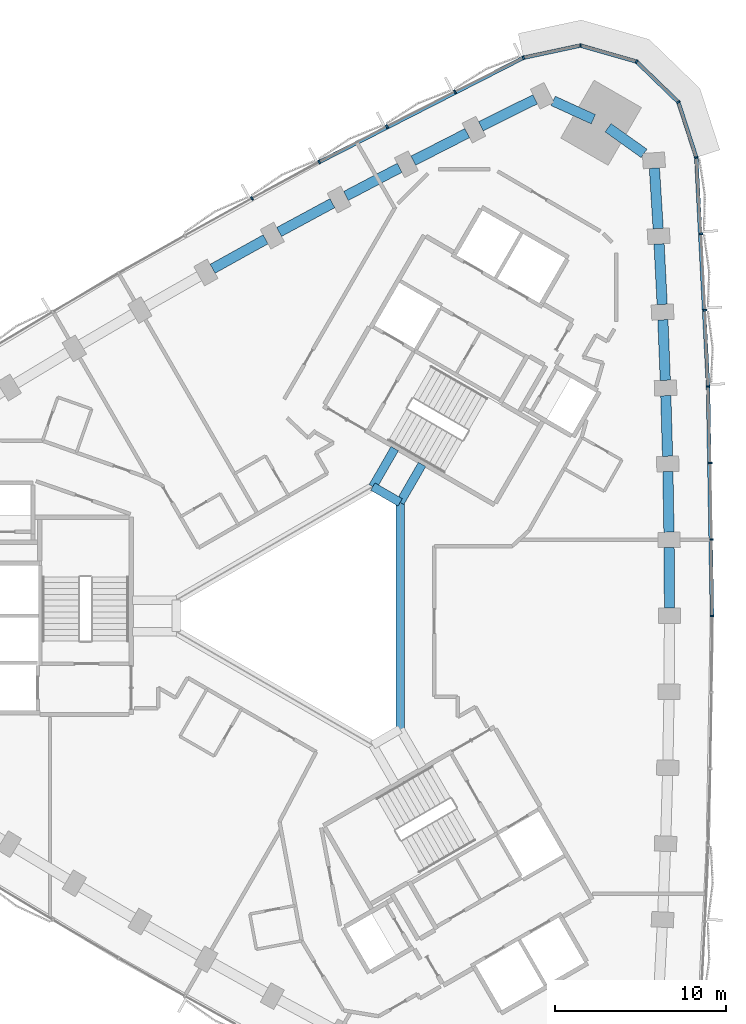
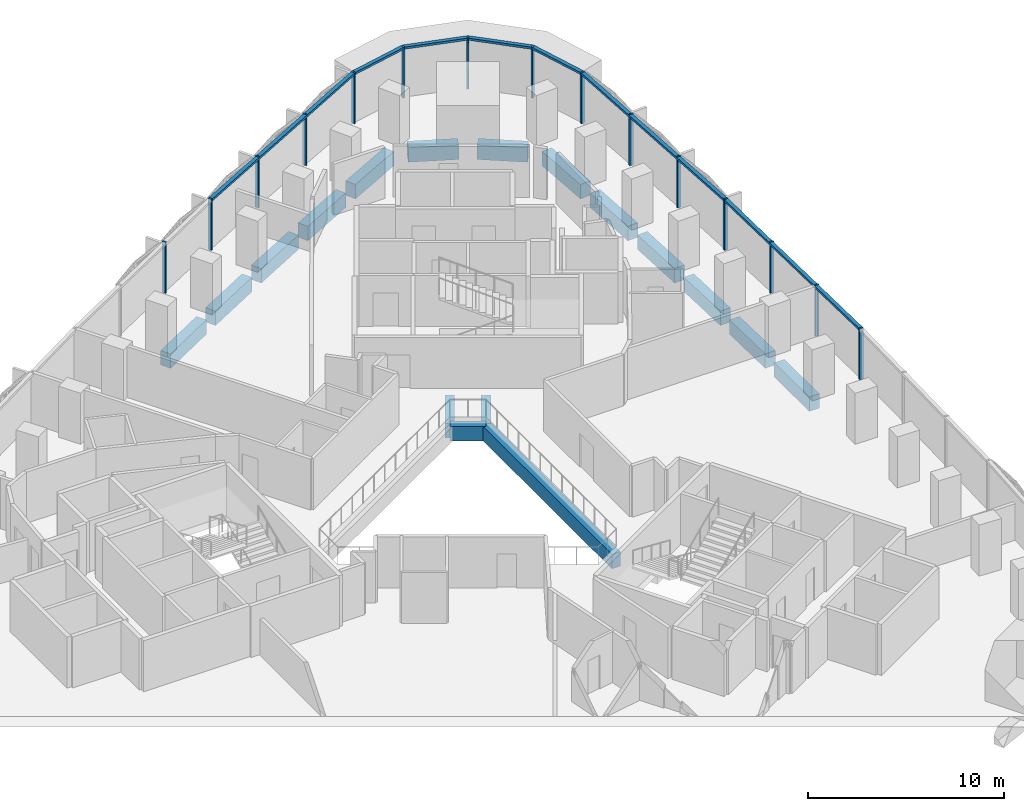
# One storey, part 5 of 15: 22 members, 17 beams, 2 elements without a shape of their own.
"""IFC4 building model written with IfcOpenShell, lengths in metres."""

from ifc_helpers import new_model, si_unit, direction, frame, origin, origin_2d, place, context, subcontext, project, spatial, rectangle, extrude, material, material_profile, profile_set, type_object, element, aggregate, save


model = new_model("IFC4")

# Units and contexts
model_context = context("Model", 3, precision=1e-05, world=origin(), true_north=direction((0.0, 1.0)))
body_context = subcontext(model_context, "Body", "Model", "MODEL_VIEW")
ifc_project = project(units=[si_unit("LENGTHUNIT", "METRE"), si_unit("AREAUNIT", "SQUARE_METRE"), si_unit("VOLUMEUNIT", "CUBIC_METRE"), si_unit("PLANEANGLEUNIT", "RADIAN"), si_unit("MASSUNIT", "GRAM", prefix="KILO")], contexts=[model_context])

# Site, building, storey
site_placement = place(None, origin())
site = spatial("IfcSite", under=ifc_project, at=site_placement, CompositionType="ELEMENT")
building_placement = place(site_placement, origin())
building = spatial("IfcBuilding", under=site, at=building_placement, Name="Tamra Quay Hotel Tower", CompositionType="ELEMENT")
storey_placement = place(building_placement, frame((0.0, 0.0, 108.199951171875)))
storey = spatial("IfcBuildingStorey", under=building, at=storey_placement, Name="L26", CompositionType="ELEMENT", Elevation=108.199951171875)

# Beams
ifc_material_1 = material(Name="Concrete M60", Category="concrete")
ifc_material_profile_1 = material_profile(ifc_material_1, rectangle(XDim=0.5, YDim=0.89990234375, at=origin_2d()), Name="ATRIUM EDGE BEAM RC 500x900")
ifc_profile_set_1 = profile_set([ifc_material_profile_1], Name="Concrete M60")
beam_type_1 = type_object("IfcBeamType", Name="ATRIUM EDGE BEAM RC 500x900", PredefinedType="BEAM", material=ifc_profile_set_1)
beam_1_placement = place(storey_placement, frame((4.89990234375, 6.639404296875, -0.875), z_axis=(0.0, -1.0, 0.0), x_axis=(1.0, 0.0, 0.0)))
element("IfcBeam", 1, at=beam_1_placement, inside=storey, type_object=beam_type_1, Name="BM-AB0-L26", PredefinedType="BEAM", context=body_context, shape_type="SweptSolid", body=[
    extrude(rectangle(XDim=0.5, YDim=0.89990234375, at=origin_2d()), origin(), (0.0, 0.0, 1.0), 13.27880859375),
])
beam_2_placement = place(storey_placement, frame((3.300048828125, 7.563232421875, -0.875), z_axis=(0.865989712182, -0.500061814573, 0.0), x_axis=(0.500061814573, 0.865989712182, 0.0)))
element("IfcBeam", 2, at=beam_2_placement, inside=storey, type_object=beam_type_1, Name="BM-AB5-L26", PredefinedType="BEAM", context=body_context, shape_type="SweptSolid", body=[
    extrude(rectangle(XDim=0.5, YDim=0.89990234375, at=origin_2d()), origin(), (0.0, 0.0, 1.0), 1.847412109375),
])
ifc_material_profile_2 = material_profile(ifc_material_1, rectangle(XDim=0.5, YDim=0.89990234375, at=origin_2d()), Name="ATRIUM TIE BEAM RC 500x900")
ifc_profile_set_2 = profile_set([ifc_material_profile_2], Name="Concrete M60")
beam_type_2 = type_object("IfcBeamType", Name="ATRIUM TIE BEAM RC 500x900", PredefinedType="BEAM", material=ifc_profile_set_2)
for number, where, z_axis, x_axis, name in (
    (3, (4.89990234375, 6.639404296875, -0.875), (0.50003311468, 0.866006284171, 0.0), (-0.866006284171, 0.50003311468, 0.0), "BM-TIE-0-L26"),
    (4, (3.300048828125, 7.563232421875, -0.875), (0.499961652204, 0.866047542763, 0.0), (-0.866047542763, 0.499961652204, 0.0), "BM-TIE-5-L26"),
):
    element("IfcBeam", number, at=place(storey_placement, frame(where, z_axis=z_axis, x_axis=x_axis)), inside=storey, type_object=beam_type_2, Name=name, PredefinedType="BEAM", context=body_context, shape_type="SweptSolid", body=[
        extrude(rectangle(XDim=0.5, YDim=0.89990234375, at=origin_2d()), origin(), (0.0, 0.0, 1.0), 2.562255859375),
    ])

# Curtain wall, members
ifc_material_2 = material(Name="Aluminium 6063 anodised dark grey", Category="aluminium")
curtain_wall_type_1 = type_object("IfcCurtainWallType", Name="CW1 CURTAIN WALL", PredefinedType="NOTDEFINED", material=ifc_material_2)
curtain_wall_1_placement = place(storey_placement, origin())
curtain_wall_1 = element("IfcCurtainWall", 5, at=curtain_wall_1_placement, inside=storey, type_object=curtain_wall_type_1, Name="CW1 east face L26", PredefinedType="NOTDEFINED")
ifc_material_profile_3 = material_profile(ifc_material_2, rectangle(XDim=0.219970703125, YDim=0.10009765625, at=origin_2d()), Name="MULLION 100X220")
ifc_profile_set_3 = profile_set([ifc_material_profile_3], Name="Aluminium 6063 anodised dark grey")
member_type_1 = type_object("IfcMemberType", Name="MULLION CW1 Z2", PredefinedType="MULLION", material=ifc_profile_set_3)
member_1_placement = place(storey_placement, frame((23.144775390625, 0.0, 0.0), z_axis=(0.0, 0.0, 1.0), x_axis=(1.0, 0.0, 0.0)))
member_1 = element("IfcMember", 6, at=member_1_placement, type_object=member_type_1, Name="CW1 mullion L26.E.7", PredefinedType="MULLION", context=body_context, shape_type="SweptSolid", body=[
    extrude(rectangle(XDim=0.219970703125, YDim=0.10009765625, at=origin_2d()), origin(), (0.0, 0.0, 1.0), 3.175048828125),
])
member_2_placement = place(storey_placement, frame((23.119140625, 4.47314453125, 0.0), z_axis=(0.0, 0.0, 1.0), x_axis=(0.999934749621, 0.011423506449, 0.0)))
member_2 = element("IfcMember", 7, at=member_2_placement, type_object=member_type_1, Name="CW1 mullion L26.E.8", PredefinedType="MULLION", context=body_context, shape_type="SweptSolid", body=[
    extrude(rectangle(XDim=0.219970703125, YDim=0.10009765625, at=origin_2d()), origin(), (0.0, 0.0, 1.0), 3.175048828125),
])
member_3_placement = place(storey_placement, frame((23.04248046875, 8.94580078125, 0.0), z_axis=(0.0, 0.0, 1.0), x_axis=(0.99973912156, 0.022840508384, 0.0)))
member_3 = element("IfcMember", 8, at=member_3_placement, type_object=member_type_1, Name="CW1 mullion L26.E.9", PredefinedType="MULLION", context=body_context, shape_type="SweptSolid", body=[
    extrude(rectangle(XDim=0.219970703125, YDim=0.10009765625, at=origin_2d()), origin(), (0.0, 0.0, 1.0), 3.175048828125),
])
member_4_placement = place(storey_placement, frame((22.914794921875, 13.417236328125, 0.0), z_axis=(0.0, 0.0, 1.0), x_axis=(0.999413445306, 0.034245661637, 0.0)))
member_4 = element("IfcMember", 9, at=member_4_placement, type_object=member_type_1, Name="CW1 mullion L26.E.10", PredefinedType="MULLION", context=body_context, shape_type="SweptSolid", body=[
    extrude(rectangle(XDim=0.219970703125, YDim=0.10009765625, at=origin_2d()), origin(), (0.0, 0.0, 1.0), 3.175048828125),
])
member_5_placement = place(storey_placement, frame((22.736083984375, 17.886962890625, 0.0), z_axis=(0.0, 0.0, 1.0), x_axis=(0.998958269731, 0.045633050909, 0.0)))
member_5 = element("IfcMember", 10, at=member_5_placement, type_object=member_type_1, Name="CW1 mullion L26.E.11", PredefinedType="MULLION", context=body_context, shape_type="SweptSolid", body=[
    extrude(rectangle(XDim=0.219970703125, YDim=0.10009765625, at=origin_2d()), origin(), (0.0, 0.0, 1.0), 3.175048828125),
])
member_6_placement = place(storey_placement, frame((22.506591796875, 22.354248046875, 0.0), z_axis=(0.0, 0.0, 1.0), x_axis=(0.998374392587, 0.056996247479, 0.0)))
member_6 = element("IfcMember", 11, at=member_6_placement, type_object=member_type_1, Name="CW1 mullion L26.E.12", PredefinedType="MULLION", context=body_context, shape_type="SweptSolid", body=[
    extrude(rectangle(XDim=0.219970703125, YDim=0.10009765625, at=origin_2d()), origin(), (0.0, 0.0, 1.0), 3.175048828125),
])
member_7_placement = place(storey_placement, frame((22.226318359375, 26.81787109375, 0.0), z_axis=(0.0, 0.0, 1.0), x_axis=(0.982419091866, 0.186688853275, 0.0)))
member_7 = element("IfcMember", 12, at=member_7_placement, type_object=member_type_1, Name="CW1 mullion L26.E.13", PredefinedType="MULLION", context=body_context, shape_type="SweptSolid", body=[
    extrude(rectangle(XDim=0.219970703125, YDim=0.10009765625, at=origin_2d()), origin(), (0.0, 0.0, 1.0), 3.175048828125),
])
member_8_placement = place(storey_placement, frame((21.1767578125, 30.062255859375, 0.0), z_axis=(0.0, 0.0, 1.0), x_axis=(0.848503146373, 0.529190334941, 0.0)))
member_8 = element("IfcMember", 13, at=member_8_placement, type_object=member_type_1, Name="CW1 mullion L26.E.14", PredefinedType="MULLION", context=body_context, shape_type="SweptSolid", body=[
    extrude(rectangle(XDim=0.219970703125, YDim=0.10009765625, at=origin_2d()), origin(), (0.0, 0.0, 1.0), 3.175048828125),
])
member_9_placement = place(storey_placement, frame((18.724853515625, 32.43212890625, 0.0), z_axis=(0.0, 0.0, 1.0), x_axis=(0.5, 0.866025403784, 0.0)))
member_9 = element("IfcMember", 14, at=member_9_placement, type_object=member_type_1, Name="CW1 mullion L26.E.15", PredefinedType="MULLION", context=body_context, shape_type="SweptSolid", body=[
    extrude(rectangle(XDim=0.219970703125, YDim=0.10009765625, at=origin_2d()), origin(), (0.0, 0.0, 1.0), 3.175048828125),
])
member_10_placement = place(storey_placement, frame((15.4462890625, 33.370849609375, 0.0), z_axis=(0.0, 0.0, 1.0), x_axis=(0.03404070031, 0.999420447421, 0.0)))
member_10 = element("IfcMember", 15, at=member_10_placement, type_object=member_type_1, Name="CW1 mullion L26.E.16", PredefinedType="MULLION", context=body_context, shape_type="SweptSolid", body=[
    extrude(rectangle(XDim=0.219970703125, YDim=0.10009765625, at=origin_2d()), origin(), (0.0, 0.0, 1.0), 3.175048828125),
])

curtain_wall_type_2 = type_object("IfcCurtainWallType", Name="CW2 CURTAIN WALL", PredefinedType="NOTDEFINED", material=ifc_material_2)
curtain_wall_2_placement = place(storey_placement, origin())
curtain_wall_2 = element("IfcCurtainWall", 16, at=curtain_wall_2_placement, inside=storey, type_object=curtain_wall_type_2, Name="CW2 north-west face L26", PredefinedType="NOTDEFINED")
ifc_material_profile_4 = material_profile(ifc_material_2, rectangle(XDim=0.219970703125, YDim=0.10009765625, at=origin_2d()), Name="MULLION 100X220")
ifc_profile_set_4 = profile_set([ifc_material_profile_4], Name="Aluminium 6063 anodised dark grey")
member_type_2 = type_object("IfcMemberType", Name="MULLION CW2 Z2", PredefinedType="MULLION", material=ifc_profile_set_4)
member_11_placement = place(storey_placement, frame((12.111572265625, 32.657470703125, 0.0), z_axis=(0.0, 0.0, 1.0), x_axis=(-0.329532256394, 0.944144317356, 0.0)))
member_11 = element("IfcMember", 17, at=member_11_placement, type_object=member_type_2, Name="CW2 mullion L26.NW.1", PredefinedType="MULLION", context=body_context, shape_type="SweptSolid", body=[
    extrude(rectangle(XDim=0.219970703125, YDim=0.10009765625, at=origin_2d()), origin(), (0.0, 0.0, 1.0), 3.175048828125),
])
member_12_placement = place(storey_placement, frame((8.10595703125, 30.66845703125, 0.0), z_axis=(0.0, 0.0, 1.0), x_axis=(-0.449826998056, 0.893115710208, 0.0)))
member_12 = element("IfcMember", 18, at=member_12_placement, type_object=member_type_2, Name="CW2 mullion L26.NW.2", PredefinedType="MULLION", context=body_context, shape_type="SweptSolid", body=[
    extrude(rectangle(XDim=0.219970703125, YDim=0.10009765625, at=origin_2d()), origin(), (0.0, 0.0, 1.0), 3.175048828125),
])
member_13_placement = place(storey_placement, frame((4.122314453125, 28.633544921875, 0.0), z_axis=(0.0, 0.0, 1.0), x_axis=(-0.459959753526, 0.887939764362, 0.0)))
member_13 = element("IfcMember", 19, at=member_13_placement, type_object=member_type_2, Name="CW2 mullion L26.NW.3", PredefinedType="MULLION", context=body_context, shape_type="SweptSolid", body=[
    extrude(rectangle(XDim=0.219970703125, YDim=0.10009765625, at=origin_2d()), origin(), (0.0, 0.0, 1.0), 3.175048828125),
])
member_14_placement = place(storey_placement, frame((0.162109375, 26.553466796875, 0.0), z_axis=(0.0, 0.0, 1.0), x_axis=(-0.470049109706, 0.882640263337, 0.0)))
member_14 = element("IfcMember", 20, at=member_14_placement, type_object=member_type_2, Name="CW2 mullion L26.NW.4", PredefinedType="MULLION", context=body_context, shape_type="SweptSolid", body=[
    extrude(rectangle(XDim=0.219970703125, YDim=0.10009765625, at=origin_2d()), origin(), (0.0, 0.0, 1.0), 3.175048828125),
])
member_15_placement = place(storey_placement, frame((-3.77392578125, 24.42822265625, 0.0), z_axis=(0.0, 0.0, 1.0), x_axis=(-0.480089100284, 0.87721973062, 0.0)))
member_15 = element("IfcMember", 21, at=member_15_placement, type_object=member_type_2, Name="CW2 mullion L26.NW.5", PredefinedType="MULLION", context=body_context, shape_type="SweptSolid", body=[
    extrude(rectangle(XDim=0.219970703125, YDim=0.10009765625, at=origin_2d()), origin(), (0.0, 0.0, 1.0), 3.175048828125),
])

# Beams
ifc_material_profile_5 = material_profile(ifc_material_1, rectangle(XDim=0.60009765625, YDim=0.89990234375, at=origin_2d()), Name="SPANDREL BEAM RC 600x900")
ifc_profile_set_5 = profile_set([ifc_material_profile_5], Name="Concrete M60")
beam_type_3 = type_object("IfcBeamType", Name="SPANDREL BEAM RC 600x900", PredefinedType="SPANDREL", material=ifc_profile_set_5)
beam_3_placement = place(storey_placement, frame((20.656494140625, 0.449951171875, -0.875), z_axis=(-0.005716160055, 0.999983662624, 0.0), x_axis=(-0.999983662624, -0.005716160055, 0.0)))
element("IfcBeam", 22, at=beam_3_placement, inside=storey, type_object=beam_type_3, Name="BM-SP2-006-L26", PredefinedType="SPANDREL", context=body_context, shape_type="SweptSolid", body=[
    extrude(rectangle(XDim=0.60009765625, YDim=0.89990234375, at=origin_2d()), origin(), (0.0, 0.0, 1.0), 3.544921875),
])
beam_4_placement = place(storey_placement, frame((20.6259765625, 4.894775390625, -0.875), z_axis=(-0.017149781635, 0.99985293168, 0.0), x_axis=(-0.99985293168, -0.017149781635, 0.0)))
element("IfcBeam", 23, at=beam_4_placement, inside=storey, type_object=beam_type_3, Name="BM-SP2-007-L26", PredefinedType="SPANDREL", context=body_context, shape_type="SweptSolid", body=[
    extrude(rectangle(XDim=0.60009765625, YDim=0.89990234375, at=origin_2d()), origin(), (0.0, 0.0, 1.0), 3.544677734375),
])
for number, where, z_axis, x_axis, name in (
    (24, (20.544677734375, 9.338623046875, -0.875), (-0.02858140136, 0.999591468299, 0.0), (-0.999591468299, -0.02858140136, 0.0), "BM-SP2-008-L26"),
    (25, (20.41259765625, 13.781494140625, -0.875), (-0.039946034354, 0.999201838639, 0.0), (-0.999201838639, -0.039946034354, 0.0), "BM-SP2-009-L26"),
):
    element("IfcBeam", number, at=place(storey_placement, frame(where, z_axis=z_axis, x_axis=x_axis)), inside=storey, type_object=beam_type_3, Name=name, PredefinedType="SPANDREL", context=body_context, shape_type="SweptSolid", body=[
        extrude(rectangle(XDim=0.60009765625, YDim=0.89990234375, at=origin_2d()), origin(), (0.0, 0.0, 1.0), 3.544921875),
    ])
beam_5_placement = place(storey_placement, frame((20.22998046875, 18.22265625, -0.875), z_axis=(-0.051311627905, 0.998682690769, 0.0), x_axis=(-0.998682690769, -0.051311627905, 0.0)))
element("IfcBeam", 26, at=beam_5_placement, inside=storey, type_object=beam_type_3, Name="BM-SP2-010-L26", PredefinedType="SPANDREL", context=body_context, shape_type="SweptSolid", body=[
    extrude(rectangle(XDim=0.60009765625, YDim=0.89990234375, at=origin_2d()), origin(), (0.0, 0.0, 1.0), 3.544677734375),
])
beam_6_placement = place(storey_placement, frame((19.99658203125, 22.661376953125, -0.875), z_axis=(-0.062669833409, 0.99803431403, 0.0), x_axis=(-0.99803431403, -0.062669833409, 0.0)))
element("IfcBeam", 27, at=beam_6_placement, inside=storey, type_object=beam_type_3, Name="BM-SP2-011-L26", PredefinedType="SPANDREL", context=body_context, shape_type="SweptSolid", body=[
    extrude(rectangle(XDim=0.60009765625, YDim=0.89990234375, at=origin_2d()), origin(), (0.0, 0.0, 1.0), 3.545166015625),
])
for number, where, z_axis, x_axis, name in (
    (28, (19.168701171875, 27.060302734375, -0.875), (-0.814339289036, 0.580389112865, 0.0), (-0.580389112865, -0.814339289036, 0.0), "BM-SP2-012-L26"),
    (29, (16.202392578125, 29.057861328125, -0.875), (-0.909819048293, 0.415005179923, 0.0), (-0.415005179923, -0.909819048293, 0.0), "BM-SP2-013-L26"),
):
    element("IfcBeam", number, at=place(storey_placement, frame(where, z_axis=z_axis, x_axis=x_axis)), inside=storey, type_object=beam_type_3, Name=name, PredefinedType="SPANDREL", context=body_context, shape_type="SweptSolid", body=[
        extrude(rectangle(XDim=0.60009765625, YDim=0.89990234375, at=origin_2d()), origin(), (0.0, 0.0, 1.0), 2.5849609375),
    ])
beam_7_placement = place(storey_placement, frame((12.802001953125, 30.22509765625, -0.875), z_axis=(-0.895622275285, -0.444815399928, 0.0), x_axis=(0.444815399928, -0.895622275285, 0.0)))
element("IfcBeam", 30, at=beam_7_placement, inside=storey, type_object=beam_type_3, Name="BM-SP2-014-L26", PredefinedType="SPANDREL", context=body_context, shape_type="SweptSolid", body=[
    extrude(rectangle(XDim=0.60009765625, YDim=0.89990234375, at=origin_2d()), origin(), (0.0, 0.0, 1.0), 3.545166015625),
])
beam_8_placement = place(storey_placement, frame((8.8232421875, 28.243408203125, -0.875), z_axis=(-0.890551251107, -0.45488291807, 0.0), x_axis=(0.45488291807, -0.890551251107, 0.0)))
element("IfcBeam", 31, at=beam_8_placement, inside=storey, type_object=beam_type_3, Name="BM-SP2-015-L26", PredefinedType="SPANDREL", context=body_context, shape_type="SweptSolid", body=[
    extrude(rectangle(XDim=0.60009765625, YDim=0.89990234375, at=origin_2d()), origin(), (0.0, 0.0, 1.0), 3.544921875),
])
beam_9_placement = place(storey_placement, frame((4.8671875, 26.216796875, -0.875), z_axis=(-0.885322773021, -0.464976975312, 0.0), x_axis=(0.464976975312, -0.885322773021, 0.0)))
element("IfcBeam", 32, at=beam_9_placement, inside=storey, type_object=beam_type_3, Name="BM-SP2-016-L26", PredefinedType="SPANDREL", context=body_context, shape_type="SweptSolid", body=[
    extrude(rectangle(XDim=0.60009765625, YDim=0.89990234375, at=origin_2d()), origin(), (0.0, 0.0, 1.0), 3.544677734375),
])
for number, where, z_axis, x_axis, name in (
    (33, (0.9345703125, 24.1455078125, -0.875), (-0.879950887438, -0.475064664753, 0.0), (0.475064664753, -0.879950887438, 0.0), "BM-SP2-017-L26"),
    (34, (-2.97412109375, 22.029296875, -0.875), (-0.874475461638, -0.48506975477, 0.0), (0.48506975477, -0.874475461638, 0.0), "BM-SP2-018-L26"),
):
    element("IfcBeam", number, at=place(storey_placement, frame(where, z_axis=z_axis, x_axis=x_axis)), inside=storey, type_object=beam_type_3, Name=name, PredefinedType="SPANDREL", context=body_context, shape_type="SweptSolid", body=[
        extrude(rectangle(XDim=0.60009765625, YDim=0.89990234375, at=origin_2d()), origin(), (0.0, 0.0, 1.0), 3.544921875),
    ])

# Member
ifc_material_profile_6 = material_profile(ifc_material_2, rectangle(XDim=0.219970703125, YDim=0.139892578125, at=origin_2d()), Name="TRANSOM 220X140")
ifc_profile_set_6 = profile_set([ifc_material_profile_6], Name="Aluminium 6063 anodised dark grey")
member_type_3 = type_object("IfcMemberType", Name="TRANSOM CW1 Z2", PredefinedType="USERDEFINED", material=ifc_profile_set_6)
member_16_placement = place(storey_placement, frame((23.14453125, 0.050048828125, 3.10498046875), z_axis=(-0.017138663343, 0.999853122323, 0.0), x_axis=(-0.999853122323, -0.017138663343, 0.0)))
member_16 = element("IfcMember", 35, at=member_16_placement, type_object=member_type_3, Name="CW1 transom L26.E.7", ObjectType="TRANSOM", PredefinedType="USERDEFINED", context=body_context, shape_type="SweptSolid", body=[
    extrude(rectangle(XDim=0.219970703125, YDim=0.139892578125, at=origin_2d()), origin(), (0.0, 0.0, 1.0), 13.319091796875),
])

member_17_placement = place(storey_placement, frame((22.912841796875, 13.46728515625, 3.10498046875), z_axis=(-0.051309919366, 0.998682778551, 0.0), x_axis=(-0.998682778551, -0.051309919366, 0.0)))
member_17 = element("IfcMember", 36, at=member_17_placement, type_object=member_type_3, Name="CW1 transom L26.E.10", ObjectType="TRANSOM", PredefinedType="USERDEFINED", context=body_context, shape_type="SweptSolid", body=[
    extrude(rectangle(XDim=0.219970703125, YDim=0.139892578125, at=origin_2d()), origin(), (0.0, 0.0, 1.0), 13.318115234375),
])

member_18_placement = place(storey_placement, frame((22.2109375, 26.865234375, 3.10498046875), z_axis=(-0.307784937637, 0.951455953875, 0.0), x_axis=(-0.951455953875, -0.307784937637, 0.0)))
member_18 = element("IfcMember", 37, at=member_18_placement, type_object=member_type_3, Name="CW1 transom L26.E.13", ObjectType="TRANSOM", PredefinedType="USERDEFINED", context=body_context, shape_type="SweptSolid", body=[
    extrude(rectangle(XDim=0.219970703125, YDim=0.139892578125, at=origin_2d()), origin(), (0.0, 0.0, 1.0), 3.31005859375),
])

member_19_placement = place(storey_placement, frame((21.140869140625, 30.09716796875, 3.10498046875), z_axis=(-0.719063315741, 0.694944564664, 0.0), x_axis=(-0.694944564664, -0.719063315741, 0.0)))
member_19 = element("IfcMember", 38, at=member_19_placement, type_object=member_type_3, Name="CW1 transom L26.E.14", ObjectType="TRANSOM", PredefinedType="USERDEFINED", context=body_context, shape_type="SweptSolid", body=[
    extrude(rectangle(XDim=0.219970703125, YDim=0.139892578125, at=origin_2d()), origin(), (0.0, 0.0, 1.0), 3.31005859375),
])

member_20_placement = place(storey_placement, frame((18.6767578125, 32.446044921875, 3.10498046875), z_axis=(-0.961393028347, 0.275178932778, 0.0), x_axis=(-0.275178932778, -0.961393028347, 0.0)))
member_20 = element("IfcMember", 39, at=member_20_placement, type_object=member_type_3, Name="CW1 transom L26.E.15", ObjectType="TRANSOM", PredefinedType="USERDEFINED", context=body_context, shape_type="SweptSolid", body=[
    extrude(rectangle(XDim=0.219970703125, YDim=0.139892578125, at=origin_2d()), origin(), (0.0, 0.0, 1.0), 3.31005859375),
])

member_21_placement = place(storey_placement, frame((15.3974609375, 33.3603515625, 3.10498046875), z_axis=(-0.977877907042, -0.209176477928, 0.0), x_axis=(0.209176477928, -0.977877907042, 0.0)))
member_21 = element("IfcMember", 40, at=member_21_placement, type_object=member_type_3, Name="CW1 transom L26.E.16", ObjectType="TRANSOM", PredefinedType="USERDEFINED", context=body_context, shape_type="SweptSolid", body=[
    extrude(rectangle(XDim=0.219970703125, YDim=0.139892578125, at=origin_2d()), origin(), (0.0, 0.0, 1.0), 3.31005859375),
])

aggregate(curtain_wall_1, [member_1, member_16, member_2, member_3, member_4, member_17, member_5, member_6, member_7, member_18, member_8, member_19, member_9, member_20, member_10, member_21])

ifc_material_profile_7 = material_profile(ifc_material_2, rectangle(XDim=0.219970703125, YDim=0.139892578125, at=origin_2d()), Name="TRANSOM 220X140")
ifc_profile_set_7 = profile_set([ifc_material_profile_7], Name="Aluminium 6063 anodised dark grey")
member_type_4 = type_object("IfcMemberType", Name="TRANSOM CW2 Z2", PredefinedType="USERDEFINED", material=ifc_profile_set_7)
member_22_placement = place(storey_placement, frame((12.06689453125, 32.63525390625, 3.10498046875), z_axis=(-0.890537010915, -0.45491079586, 0.0), x_axis=(0.45491079586, -0.890537010915, 0.0)))
member_22 = element("IfcMember", 41, at=member_22_placement, type_object=member_type_4, Name="CW2 transom L26.NW.1", ObjectType="TRANSOM", PredefinedType="USERDEFINED", context=body_context, shape_type="SweptSolid", body=[
    extrude(rectangle(XDim=0.219970703125, YDim=0.139892578125, at=origin_2d()), origin(), (0.0, 0.0, 1.0), 13.318115234375),
])

aggregate(curtain_wall_2, [member_11, member_22, member_12, member_13, member_14, member_15])

save(model, "model.ifc")
